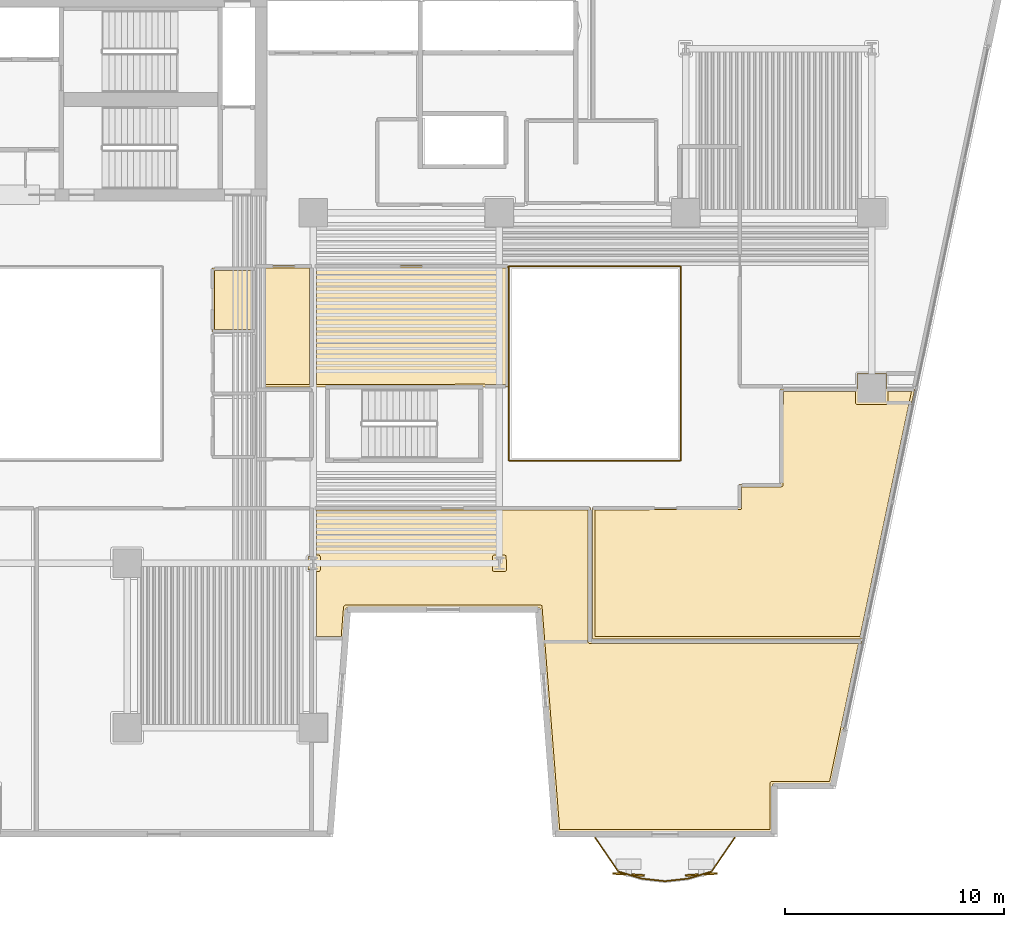
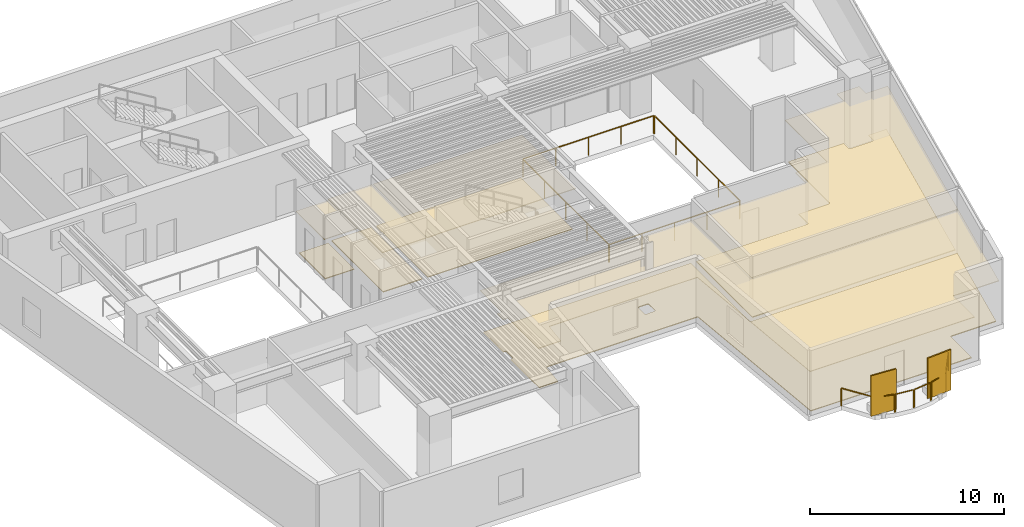
# One storey, part 9 of 11: 10 coverings, 10 railings, 2 shading devices.
"""IFC4 building model written with IfcOpenShell, lengths in metres."""

from ifc_helpers import new_model, si_unit, direction, frame, origin, origin_2d, place, context, subcontext, project, spatial, polyline, rectangle, outline, extrude, material, layer, layer_set, type_object, element, save


model = new_model("IFC4")

# Units and contexts
model_context = context("Model", 3, precision=1e-05, world=origin(), true_north=direction((0.0, 1.0)))
body_context = subcontext(model_context, "Body", "Model", "MODEL_VIEW")
ifc_project = project(units=[si_unit("LENGTHUNIT", "METRE"), si_unit("AREAUNIT", "SQUARE_METRE"), si_unit("VOLUMEUNIT", "CUBIC_METRE"), si_unit("PLANEANGLEUNIT", "RADIAN"), si_unit("MASSUNIT", "GRAM", prefix="KILO")], contexts=[model_context])

# Site, building, storey
site_placement = place(None, origin())
site = spatial("IfcSite", under=ifc_project, at=site_placement, CompositionType="ELEMENT")
building_placement = place(site_placement, origin())
building = spatial("IfcBuilding", under=site, at=building_placement, Name="Caeloran Harvest Quay", CompositionType="ELEMENT")
storey_placement = place(building_placement, frame((0.0, 0.0, 40.199951171875)))
storey = spatial("IfcBuildingStorey", under=building, at=storey_placement, Name="L09", CompositionType="ELEMENT", Elevation=40.199951171875)

# Coverings
ifc_material_1 = material(Name="Perforated Mineral-Fibre Acoustic Ceiling Tile", Category="ceiling")
ifc_layer_1 = layer(ifc_material_1, 0.0400390625, Name="Perforated Mineral-Fibre Acoustic Ceiling Tile")
ifc_layer_set_1 = layer_set([ifc_layer_1], Name="Perforated Mineral-Fibre Acoustic Ceiling Tile")
covering_type_1 = type_object("IfcCoveringType", Name="COV-CEILING-ACOUSTIC", PredefinedType="CEILING", material=ifc_layer_set_1)
covering_1_placement = place(storey_placement, frame((0.0, 0.0, 2.60009765625)))
element("IfcCovering", 1, at=covering_1_placement, inside=storey, type_object=covering_type_1, Name="L09 Male Washroom WC Acoustic Ceiling", PredefinedType="CEILING", context=body_context, shape_type="SweptSolid", body=[
    extrude(outline(polyline([(22.840087890625, 25.56005859375), (20.8701171875, 25.56005859375), (20.8701171875, 28.489990234375), (22.840087890625, 28.489990234375), (22.840087890625, 25.56005859375)])), origin(), (0.0, 0.0, 1.0), 0.0400390625),
])
covering_2_placement = place(storey_placement, frame((0.0, 0.0, 2.60009765625)))
element("IfcCovering", 2, at=covering_2_placement, inside=storey, type_object=covering_type_1, Name="Microgreens LED Rack Chamber Acoustic Ceiling", PredefinedType="CEILING", context=body_context, shape_type="SweptSolid", body=[
    extrude(outline(polyline([(46.467041015625, 2.719970703125), (36.64404296875, 2.719970703125), (35.843994140625, 12.969970703125), (26.99951171875, 12.969970703125), (26.887939453125, 11.5400390625), (25.5400390625, 11.5400390625), (25.5400390625, 14.695556640625), (25.2529296875, 14.695556640625), (25.2529296875, 15.304443359375), (25.5400390625, 15.304443359375), (25.5400390625, 17.56005859375), (38.159912109375, 17.56005859375), (38.159912109375, 11.4599609375), (50.54443359375, 11.4599609375), (49.170654296875, 4.919921875), (46.467041015625, 4.919921875), (46.467041015625, 2.719970703125)])), origin(), (0.0, 0.0, 1.0), 0.0400390625),
])
covering_3_placement = place(storey_placement, frame((0.0, 0.0, 2.60009765625)))
element("IfcCovering", 3, at=covering_3_placement, inside=storey, type_object=covering_type_1, Name="Tissue Culture Laboratory Acoustic Ceiling", PredefinedType="CEILING", context=body_context, shape_type="SweptSolid", body=[
    extrude(outline(polyline([(44.93994140625, 18.610107421875), (46.840087890625, 18.610107421875), (46.840087890625, 22.9599609375), (50.330078125, 22.9599609375), (50.330078125, 23.669921875), (51.669921875, 23.669921875), (51.669921875, 22.9599609375), (52.960205078125, 22.9599609375), (50.561279296875, 11.5400390625), (38.239990234375, 11.5400390625), (38.239990234375, 17.56005859375), (44.93994140625, 17.56005859375), (44.93994140625, 18.610107421875)])), origin(), (0.0, 0.0, 1.0), 0.0400390625),
])
covering_4_placement = place(storey_placement, frame((0.0, 0.0, 2.60009765625)))
element("IfcCovering", 4, at=covering_4_placement, inside=storey, type_object=covering_type_1, Name="Farm Operations Office Acoustic Ceiling", PredefinedType="CEILING", context=body_context, shape_type="SweptSolid", body=[
    extrude(outline(polyline([(22.8701171875, 28.512939453125), (22.85009765625, 28.52001953125), (22.85009765625, 28.610107421875), (25.4599609375, 28.610107421875), (25.4599609375, 23.0400390625), (22.8701171875, 23.0400390625), (22.8701171875, 28.512939453125)])), origin(), (0.0, 0.0, 1.0), 0.0400390625),
])
covering_5_placement = place(storey_placement, frame((0.0, 0.0, 2.60009765625)))
element("IfcCovering", 5, at=covering_5_placement, inside=storey, type_object=covering_type_1, Name="Botanical Tasting Meeting Room Acoustic Ceiling", PredefinedType="CEILING", context=body_context, shape_type="SweptSolid", body=[
    extrude(outline(polyline([(26.13720703125, 23.06005859375), (26.1298828125, 23.0400390625), (25.5400390625, 23.0400390625), (25.5400390625, 28.610107421875), (34.409912109375, 28.610107421875), (34.409912109375, 23.0400390625), (33.170166015625, 23.0400390625), (33.162841796875, 23.06005859375), (26.13720703125, 23.06005859375)])), origin(), (0.0, 0.0, 1.0), 0.0400390625),
])
ifc_material_2 = material(Name="Calcium-Sulphate Raised Access Floor and Terrazzo Finish", Category="flooring")
ifc_layer_2 = layer(ifc_material_2, 0.050048828125, Name="Calcium-Sulphate Raised Access Floor and Terrazzo Finish")
ifc_layer_set_2 = layer_set([ifc_layer_2], Name="Calcium-Sulphate Raised Access Floor and Terrazzo Finish")
covering_type_2 = type_object("IfcCoveringType", Name="COV-FLOOR-RAISED", PredefinedType="FLOORING", material=ifc_layer_set_2)
covering_6_placement = place(storey_placement, origin())
element("IfcCovering", 6, at=covering_6_placement, inside=storey, type_object=covering_type_2, Name="L09 Male Washroom WC Raised Finish Flooring", PredefinedType="FLOORING", context=body_context, shape_type="SweptSolid", body=[
    extrude(outline(polyline([(22.719970703125, 25.679931640625), (20.989990234375, 25.679931640625), (20.989990234375, 28.3701171875), (22.719970703125, 28.3701171875), (22.719970703125, 25.679931640625)])), origin(), (0.0, 0.0, 1.0), 0.050048828125),
])
covering_7_placement = place(storey_placement, origin())
element("IfcCovering", 7, at=covering_7_placement, inside=storey, type_object=covering_type_2, Name="Microgreens LED Rack Chamber Raised Finish Flooring", PredefinedType="FLOORING", context=body_context, shape_type="SweptSolid", body=[
    extrude(outline(polyline([(46.427001953125, 5.0400390625), (46.370361328125, 5.0166015625), (46.346923828125, 4.9599609375), (46.346923828125, 2.840087890625), (36.7548828125, 2.840087890625), (35.943603515625, 13.06005859375), (35.881103515625, 13.090087890625), (26.95458984375, 13.089599609375), (26.8828125, 13.01611328125), (26.77685546875, 11.659912109375), (25.659912109375, 11.659912109375), (25.659912109375, 14.62060546875), (25.77978515625, 14.6298828125), (25.822021484375, 14.700439453125), (25.820556640625, 15.315185546875), (25.772705078125, 15.373291015625), (25.659912109375, 15.37939453125), (25.659912109375, 17.43994140625), (38.0400390625, 17.43994140625), (38.0400390625, 11.419921875), (38.082275390625, 11.349365234375), (50.396728515625, 11.340087890625), (49.0732421875, 5.0400390625), (46.427001953125, 5.0400390625)]), holes=[polyline([(33.758056640625, 15.37939453125), (33.701416015625, 15.356201171875), (33.678466796875, 15.307373046875), (33.69140625, 14.656005859375), (33.758056640625, 14.62060546875), (34.286376953125, 14.634033203125), (34.322021484375, 14.700439453125), (34.30859375, 15.343994140625), (34.249755859375, 15.379150390625), (33.758056640625, 15.37939453125)])]), origin(), (0.0, 0.0, 1.0), 0.050048828125),
])
covering_8_placement = place(storey_placement, origin())
element("IfcCovering", 8, at=covering_8_placement, inside=storey, type_object=covering_type_2, Name="Tissue Culture Laboratory Raised Finish Flooring", PredefinedType="FLOORING", context=body_context, shape_type="SweptSolid", body=[
    extrude(outline(polyline([(38.360107421875, 17.43994140625), (45.03076171875, 17.458251953125), (45.0595703125, 17.51220703125), (45.06005859375, 18.489990234375), (46.8798828125, 18.489990234375), (46.953857421875, 18.539306640625), (46.9599609375, 22.840087890625), (50.2548828125, 22.840087890625), (50.25537109375, 22.3271484375), (50.2841796875, 22.273193359375), (50.3349609375, 22.2548828125), (51.6806640625, 22.256591796875), (51.74462890625, 22.3271484375), (51.7451171875, 22.840087890625), (52.8125, 22.840087890625), (50.4638671875, 11.659912109375), (38.360107421875, 11.659912109375), (38.360107421875, 17.43994140625)])), origin(), (0.0, 0.0, 1.0), 0.050048828125),
])
covering_9_placement = place(storey_placement, origin())
element("IfcCovering", 9, at=covering_9_placement, inside=storey, type_object=covering_type_2, Name="Farm Operations Office Raised Finish Flooring", PredefinedType="FLOORING", context=body_context, shape_type="SweptSolid", body=[
    extrude(outline(polyline([(22.989990234375, 28.489990234375), (25.340087890625, 28.489990234375), (25.340087890625, 23.159912109375), (22.989990234375, 23.159912109375), (22.989990234375, 28.489990234375)])), origin(), (0.0, 0.0, 1.0), 0.050048828125),
])
covering_10_placement = place(storey_placement, origin())
element("IfcCovering", 10, at=covering_10_placement, inside=storey, type_object=covering_type_2, Name="Botanical Tasting Meeting Room Raised Finish Flooring", PredefinedType="FLOORING", context=body_context, shape_type="SweptSolid", body=[
    extrude(outline(polyline([(33.169921875, 23.179931640625), (25.659912109375, 23.159912109375), (25.659912109375, 28.489990234375), (34.2900390625, 28.489990234375), (34.2900390625, 23.159912109375), (33.169921875, 23.179931640625)])), origin(), (0.0, 0.0, 1.0), 0.050048828125),
])

# Railings
ifc_material_3 = material(Name="Powder-Coated Steel Post and Laminated Glass Guardrail", Category="steel")
ifc_layer_3 = layer(ifc_material_3, 0.06005859375, Name="Powder-Coated Steel Post and Laminated Glass Guardrail")
ifc_layer_set_3 = layer_set([ifc_layer_3], Name="Powder-Coated Steel Post and Laminated Glass Guardrail")
railing_type_1 = type_object("IfcRailingType", Name="GUARD-ATRIUM-1150", PredefinedType="GUARDRAIL", material=ifc_layer_set_3)
railing_1_placement = place(storey_placement, frame((34.4619140625, 19.679931640625, 0.0)))
element("IfcRailing", 11, at=railing_1_placement, inside=storey, type_object=railing_type_1, Name="L09 East Botanical Lightwell Guardrail Seg 1", PredefinedType="GUARDRAIL", context=body_context, shape_type="SweptSolid", body=[
    extrude(rectangle(XDim=0.048095703125, YDim=0.048095703125, at=origin_2d()), frame((0.0, 0.0, 1.1259765625), z_axis=(1.0, 0.0, 0.0), x_axis=(0.0, 1.0, 0.0)), (0.0, 0.0, 1.0), 7.776123046875),
    extrude(rectangle(XDim=0.0419921875, YDim=0.0419921875, at=origin_2d()), origin(), (0.0, 0.0, 1.0), 1.101806640625),
    extrude(rectangle(XDim=0.0419921875, YDim=0.0419921875, at=origin_2d()), frame((1.944091796875, 0.0, 0.0)), (0.0, 0.0, 1.0), 1.101806640625),
    extrude(rectangle(XDim=0.0419921875, YDim=0.0419921875, at=origin_2d()), frame((3.88818359375, 0.0, 0.0)), (0.0, 0.0, 1.0), 1.101806640625),
    extrude(rectangle(XDim=0.0419921875, YDim=0.0419921875, at=origin_2d()), frame((5.83203125, 0.0, 0.0)), (0.0, 0.0, 1.0), 1.101806640625),
    extrude(rectangle(XDim=0.0419921875, YDim=0.0419921875, at=origin_2d()), frame((7.776123046875, 0.0, 0.0)), (0.0, 0.0, 1.0), 1.101806640625),
])
railing_2_placement = place(storey_placement, frame((42.27001953125, 19.7119140625, 0.0)))
element("IfcRailing", 12, at=railing_2_placement, inside=storey, type_object=railing_type_1, Name="L09 East Botanical Lightwell Guardrail Seg 2", PredefinedType="GUARDRAIL", context=body_context, shape_type="SweptSolid", body=[
    extrude(rectangle(XDim=0.048095703125, YDim=0.048095703125, at=origin_2d()), frame((0.0, 0.0, 1.1259765625), z_axis=(0.0, 1.0, 0.0), x_axis=(-1.0, 0.0, 0.0)), (0.0, 0.0, 1.0), 8.826171875),
    extrude(rectangle(XDim=0.0419921875, YDim=0.0419921875, at=origin_2d()), origin(), (0.0, 0.0, 1.0), 1.101806640625),
    extrude(rectangle(XDim=0.0419921875, YDim=0.0419921875, at=origin_2d()), frame((0.0, 2.20654296875, 0.0)), (0.0, 0.0, 1.0), 1.101806640625),
    extrude(rectangle(XDim=0.0419921875, YDim=0.0419921875, at=origin_2d()), frame((0.0, 4.4130859375, 0.0)), (0.0, 0.0, 1.0), 1.101806640625),
    extrude(rectangle(XDim=0.0419921875, YDim=0.0419921875, at=origin_2d()), frame((0.0, 6.61962890625, 0.0)), (0.0, 0.0, 1.0), 1.101806640625),
    extrude(rectangle(XDim=0.0419921875, YDim=0.0419921875, at=origin_2d()), frame((0.0, 8.826171875, 0.0)), (0.0, 0.0, 1.0), 1.101806640625),
])
railing_3_placement = place(storey_placement, frame((42.238037109375, 28.570068359375, 0.0)))
element("IfcRailing", 13, at=railing_3_placement, inside=storey, type_object=railing_type_1, Name="L09 East Botanical Lightwell Guardrail Seg 3", PredefinedType="GUARDRAIL", context=body_context, shape_type="SweptSolid", body=[
    extrude(rectangle(XDim=0.048095703125, YDim=0.048095703125, at=origin_2d()), frame((0.0, 0.0, 1.1259765625), z_axis=(-1.0, 0.0, 0.0), x_axis=(0.0, -1.0, 0.0)), (0.0, 0.0, 1.0), 7.776123046875),
    extrude(rectangle(XDim=0.0419921875, YDim=0.0419921875, at=origin_2d()), origin(), (0.0, 0.0, 1.0), 1.101806640625),
    extrude(rectangle(XDim=0.0419921875, YDim=0.0419921875, at=origin_2d()), frame((-1.944091796875, 0.0, 0.0)), (0.0, 0.0, 1.0), 1.101806640625),
    extrude(rectangle(XDim=0.0419921875, YDim=0.0419921875, at=origin_2d()), frame((-3.88818359375, 0.0, 0.0)), (0.0, 0.0, 1.0), 1.101806640625),
    extrude(rectangle(XDim=0.0419921875, YDim=0.0419921875, at=origin_2d()), frame((-5.83203125, 0.0, 0.0)), (0.0, 0.0, 1.0), 1.101806640625),
    extrude(rectangle(XDim=0.0419921875, YDim=0.0419921875, at=origin_2d()), frame((-7.776123046875, 0.0, 0.0)), (0.0, 0.0, 1.0), 1.101806640625),
])
railing_4_placement = place(storey_placement, frame((34.429931640625, 28.5380859375, 0.0)))
element("IfcRailing", 14, at=railing_4_placement, inside=storey, type_object=railing_type_1, Name="L09 East Botanical Lightwell Guardrail Seg 4", PredefinedType="GUARDRAIL", context=body_context, shape_type="SweptSolid", body=[
    extrude(rectangle(XDim=0.048095703125, YDim=0.048095703125, at=origin_2d()), frame((0.0, 0.0, 1.1259765625), z_axis=(0.0, -1.0, 0.0), x_axis=(1.0, 0.0, 0.0)), (0.0, 0.0, 1.0), 8.826171875),
    extrude(rectangle(XDim=0.0419921875, YDim=0.0419921875, at=origin_2d()), origin(), (0.0, 0.0, 1.0), 1.101806640625),
    extrude(rectangle(XDim=0.0419921875, YDim=0.0419921875, at=origin_2d()), frame((0.0, -2.20654296875, 0.0)), (0.0, 0.0, 1.0), 1.101806640625),
    extrude(rectangle(XDim=0.0419921875, YDim=0.0419921875, at=origin_2d()), frame((0.0, -4.4130859375, 0.0)), (0.0, 0.0, 1.0), 1.101806640625),
    extrude(rectangle(XDim=0.0419921875, YDim=0.0419921875, at=origin_2d()), frame((0.0, -6.61962890625, 0.0)), (0.0, 0.0, 1.0), 1.101806640625),
    extrude(rectangle(XDim=0.0419921875, YDim=0.0419921875, at=origin_2d()), frame((0.0, -8.826171875, 0.0)), (0.0, 0.0, 1.0), 1.101806640625),
])
ifc_material_4 = material(Name="Laminated Safety Glass and Stainless Steel 316", Category="steel")
ifc_layer_4 = layer(ifc_material_4, 0.06005859375, Name="Laminated Safety Glass and Stainless Steel 316")
ifc_layer_set_4 = layer_set([ifc_layer_4], Name="Laminated Safety Glass and Stainless Steel 316")
railing_type_2 = type_object("IfcRailingType", Name="GUARD-BALUSTRADE-1150", PredefinedType="BALUSTRADE", material=ifc_layer_set_4)
railing_5_placement = place(storey_placement, frame((44.7509765625, 2.47998046875, 0.0)))
element("IfcRailing", 15, at=railing_5_placement, inside=storey, type_object=railing_type_2, Name="L09 Planted Balcony Perimeter Balustrade Guard Seg 1", PredefinedType="BALUSTRADE", context=body_context, shape_type="SweptSolid", body=[
    extrude(rectangle(XDim=0.048095703125, YDim=0.048095703125, at=origin_2d()), frame((0.0, 0.0, 1.1259765625), z_axis=(-0.565895307644, -0.824477107497, 0.0), x_axis=(0.824477107497, -0.565895307644, 0.0)), (0.0, 0.0, 1.0), 1.8486328125),
    extrude(rectangle(XDim=0.0419921875, YDim=0.0419921875, at=origin_2d()), origin(), (0.0, 0.0, 1.0), 1.101806640625),
    extrude(rectangle(XDim=0.0419921875, YDim=0.0419921875, at=origin_2d()), frame((-1.046142578125, -1.524169921875, 0.0)), (0.0, 0.0, 1.0), 1.101806640625),
])
railing_6_placement = place(storey_placement, frame((43.65625, 0.920166015625, 0.0)))
element("IfcRailing", 16, at=railing_6_placement, inside=storey, type_object=railing_type_2, Name="L09 Planted Balcony Perimeter Balustrade Guard Seg 2", PredefinedType="BALUSTRADE", context=body_context, shape_type="SweptSolid", body=[
    extrude(rectangle(XDim=0.048095703125, YDim=0.048095703125, at=origin_2d()), frame((0.0, 0.0, 1.1259765625), z_axis=(-0.957079252087, -0.289826336319, 0.0), x_axis=(0.289826336319, -0.957079252087, 0.0)), (0.0, 0.0, 1.0), 1.0478515625),
    extrude(rectangle(XDim=0.0419921875, YDim=0.0419921875, at=origin_2d()), origin(), (0.0, 0.0, 1.0), 1.101806640625),
    extrude(rectangle(XDim=0.0419921875, YDim=0.0419921875, at=origin_2d()), frame((-1.0029296875, -0.3037109375, 0.0)), (0.0, 0.0, 1.0), 1.101806640625),
])
railing_7_placement = place(storey_placement, frame((42.5908203125, 0.603515625, 0.0)))
element("IfcRailing", 17, at=railing_7_placement, inside=storey, type_object=railing_type_2, Name="L09 Planted Balcony Perimeter Balustrade Guard Seg 3", PredefinedType="BALUSTRADE", context=body_context, shape_type="SweptSolid", body=[
    extrude(rectangle(XDim=0.048095703125, YDim=0.048095703125, at=origin_2d()), frame((0.0, 0.0, 1.1259765625), z_axis=(-0.993892604556, -0.110351667905, 0.0), x_axis=(0.110351667905, -0.993892604556, 0.0)), (0.0, 0.0, 1.0), 1.006591796875),
    extrude(rectangle(XDim=0.0419921875, YDim=0.0419921875, at=origin_2d()), origin(), (0.0, 0.0, 1.0), 1.101806640625),
    extrude(rectangle(XDim=0.0419921875, YDim=0.0419921875, at=origin_2d()), frame((-1.00048828125, -0.111083984375, 0.0)), (0.0, 0.0, 1.0), 1.101806640625),
])
railing_8_placement = place(storey_placement, frame((41.526611328125, 0.492431640625, 0.0)))
element("IfcRailing", 18, at=railing_8_placement, inside=storey, type_object=railing_type_2, Name="L09 Planted Balcony Perimeter Balustrade Guard Seg 4", PredefinedType="BALUSTRADE", context=body_context, shape_type="SweptSolid", body=[
    extrude(rectangle(XDim=0.048095703125, YDim=0.048095703125, at=origin_2d()), frame((0.0, 0.0, 1.1259765625), z_axis=(-0.993892604556, 0.110351667905, 0.0), x_axis=(-0.110351667905, -0.993892604556, 0.0)), (0.0, 0.0, 1.0), 1.006591796875),
    extrude(rectangle(XDim=0.0419921875, YDim=0.0419921875, at=origin_2d()), origin(), (0.0, 0.0, 1.0), 1.101806640625),
    extrude(rectangle(XDim=0.0419921875, YDim=0.0419921875, at=origin_2d()), frame((-1.00048828125, 0.111083984375, 0.0)), (0.0, 0.0, 1.0), 1.101806640625),
])
railing_9_placement = place(storey_placement, frame((40.463623046875, 0.616455078125, 0.0)))
element("IfcRailing", 19, at=railing_9_placement, inside=storey, type_object=railing_type_2, Name="L09 Planted Balcony Perimeter Balustrade Guard Seg 5", PredefinedType="BALUSTRADE", context=body_context, shape_type="SweptSolid", body=[
    extrude(rectangle(XDim=0.048095703125, YDim=0.048095703125, at=origin_2d()), frame((0.0, 0.0, 1.1259765625), z_axis=(-0.957079252087, 0.289826336319, 0.0), x_axis=(-0.289826336319, -0.957079252087, 0.0)), (0.0, 0.0, 1.0), 1.0478515625),
    extrude(rectangle(XDim=0.0419921875, YDim=0.0419921875, at=origin_2d()), origin(), (0.0, 0.0, 1.0), 1.101806640625),
    extrude(rectangle(XDim=0.0419921875, YDim=0.0419921875, at=origin_2d()), frame((-1.0029296875, 0.3037109375, 0.0)), (0.0, 0.0, 1.0), 1.101806640625),
])
railing_10_placement = place(storey_placement, frame((39.412109375, 0.955810546875, 0.0)))
element("IfcRailing", 20, at=railing_10_placement, inside=storey, type_object=railing_type_2, Name="L09 Planted Balcony Perimeter Balustrade Guard Seg 6", PredefinedType="BALUSTRADE", context=body_context, shape_type="SweptSolid", body=[
    extrude(rectangle(XDim=0.048095703125, YDim=0.048095703125, at=origin_2d()), frame((0.0, 0.0, 1.1259765625), z_axis=(-0.565895307644, 0.824477107497, 0.0), x_axis=(-0.824477107497, -0.565895307644, 0.0)), (0.0, 0.0, 1.0), 1.8486328125),
    extrude(rectangle(XDim=0.0419921875, YDim=0.0419921875, at=origin_2d()), origin(), (0.0, 0.0, 1.0), 1.101806640625),
    extrude(rectangle(XDim=0.0419921875, YDim=0.0419921875, at=origin_2d()), frame((-1.046142578125, 1.524169921875, 0.0)), (0.0, 0.0, 1.0), 1.101806640625),
])

# Shading devices
ifc_material_5 = material(Name="3003-H14 Perforated Powder-Coated Aluminium", Category="aluminium")
shading_device_type = type_object("IfcShadingDeviceType", Name="SHADE-SCREEN-FOLDED", PredefinedType="USERDEFINED", material=ifc_material_5)
for number, where, z_axis, x_axis, name in (
    (21, (43.218505859375, 0.795166015625, 0.0751953125), (0.0, 0.0, 1.0), (0.997801468292, 0.0662739004, 0.0), "L09 Folded Facade Breathing Screen 1"),
    (22, (39.8984375, 0.795166015625, 0.0751953125), (0.0, 0.0, 1.0), (0.997801468292, -0.0662739004, 0.0), "L09 Folded Facade Breathing Screen 2"),
):
    element("IfcShadingDevice", number, at=place(storey_placement, frame(where, z_axis=z_axis, x_axis=x_axis)), inside=storey, type_object=shading_device_type, Name=name, ObjectType="SCREEN", PredefinedType="USERDEFINED", context=body_context, shape_type="SweptSolid", body=[
        extrude(rectangle(XDim=1.449951171875, YDim=0.080078125, at=origin_2d()), origin(), (0.0, 0.0, 1.0), 2.550048828125),
    ])

save(model, "model.ifc")
